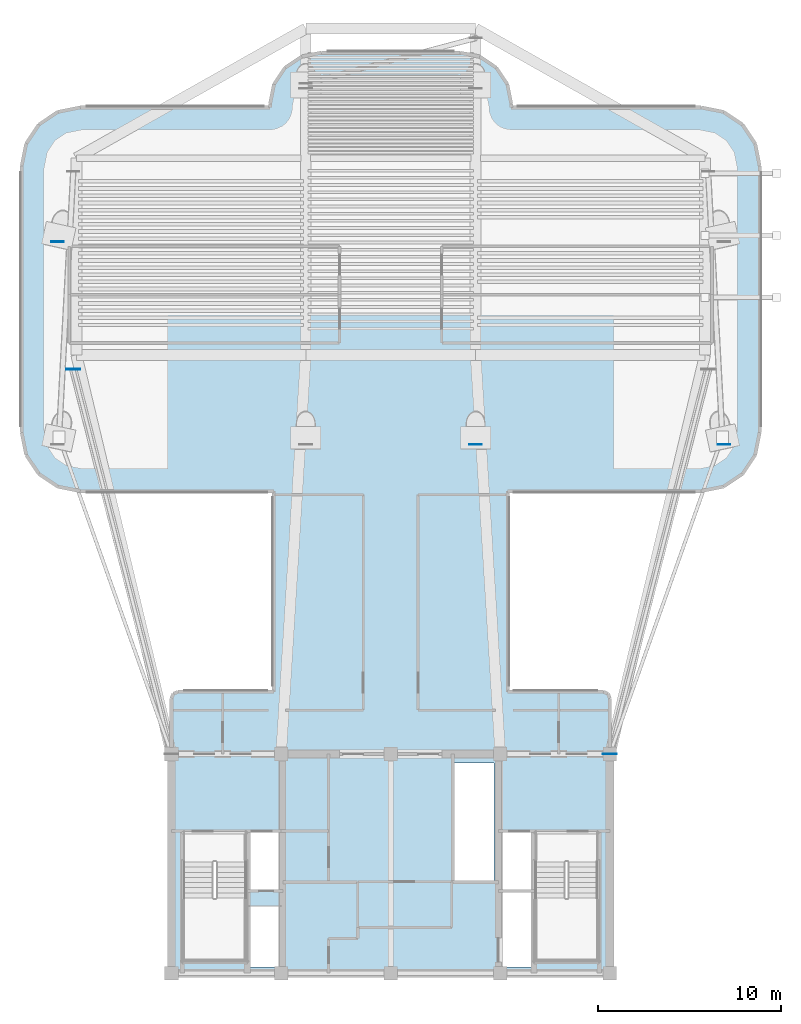
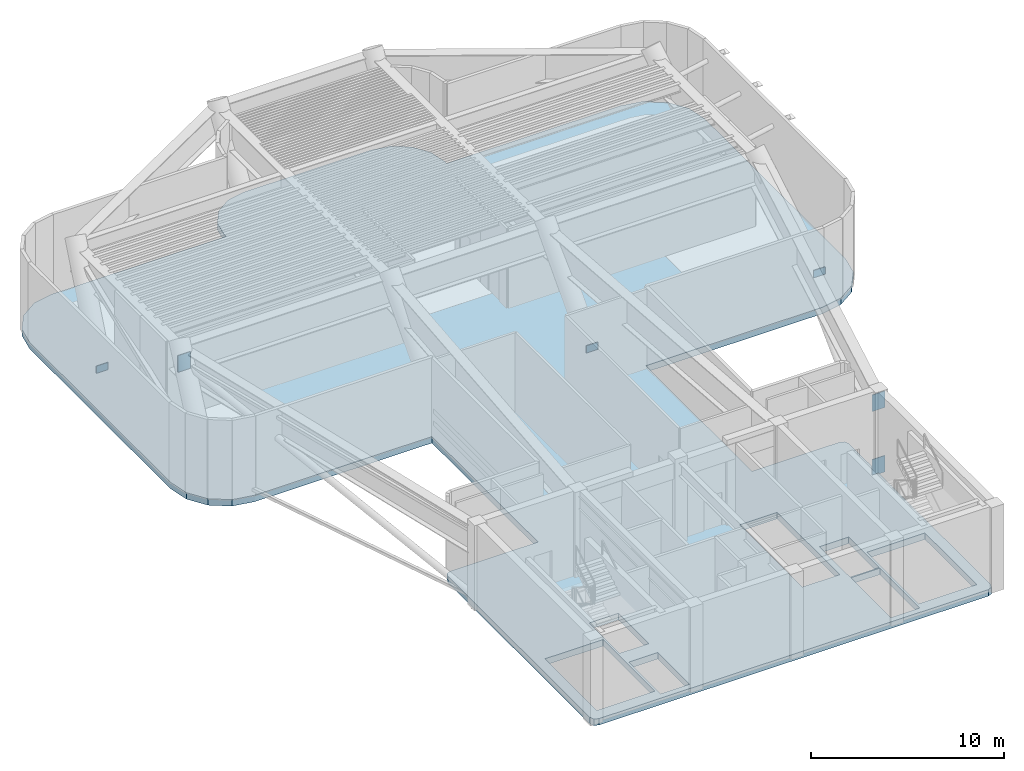
# One storey, part 3 of 11: 6 plates, 1 slab.
"""IFC4 building model written with IfcOpenShell, lengths in metres."""

import ifcopenshell
import ifcopenshell.guid

model = None  # the IFC model being written
_history = None  # IfcOwnerHistory: only IFC2X3 demands one
_inside = {}  # id of a spatial element -> (the spatial element, [elements in it])
_under = {}  # id of a project, library or spatial element -> (it, [spatial elements below it])
_declared = {}  # id of a project -> (the project, [libraries it declares])
_typed = {}  # id of a type object -> (the type object, [elements of that type])
_made_of = {}  # id of a material, layer set ... -> (it, [elements and type objects made of it])


def new_model(schema):
    """Start an empty IFC model of exactly this schema.

    Asked for "IFC4X3", IfcOpenShell would pick the latest addendum, in which some entities
    have other attributes; the version numbers below select the first issue.
    IFC2X3 requires an IfcOwnerHistory on every rooted entity: one is made here for all.
    """
    global model, _history
    if schema == "IFC4X3":
        model = ifcopenshell.file(schema_version=(4, 3, 0, 0))
    else:
        model = ifcopenshell.file(schema=schema)
    _inside.clear()
    _under.clear()
    _declared.clear()
    _typed.clear()
    _made_of.clear()
    _history = None
    if model.schema == "IFC2X3":
        org = make("IfcOrganization", Name="unknown")
        user = make(
            "IfcPersonAndOrganization",
            ThePerson=make("IfcPerson", FamilyName="unknown"),
            TheOrganization=org,
        )
        app = make(
            "IfcApplication",
            ApplicationDeveloper=org,
            Version="unknown",
            ApplicationFullName="unknown",
            ApplicationIdentifier="unknown",
        )
        _history = make(
            "IfcOwnerHistory",
            OwningUser=user,
            OwningApplication=app,
            ChangeAction="ADDED",
            CreationDate=0,
        )
    return model


def make(cls, **values):
    """One entity of the class cls with the attributes given. An attribute that is None is left unset."""
    return model.create_entity(
        cls, **{name: value for name, value in values.items() if value is not None}
    )


def rooted(cls, **values):
    """An entity with a GlobalId (a new one), such as an element, a storey or a relation."""
    return make(cls, GlobalId=ifcopenshell.guid.new(), OwnerHistory=_history, **values)


def si_unit(unit_type, name, prefix=None):
    """IfcSIUnit, for example si_unit("LENGTHUNIT", "METRE", prefix="MILLI")."""
    return make("IfcSIUnit", UnitType=unit_type, Prefix=prefix, Name=name)


def assignment(units):
    """IfcUnitAssignment: the units of a project."""
    return None if units is None else make("IfcUnitAssignment", Units=units)


def point(xyz):
    """IfcCartesianPoint."""
    return None if xyz is None else make("IfcCartesianPoint", Coordinates=xyz)


def direction(xyz):
    """IfcDirection."""
    return None if xyz is None else make("IfcDirection", DirectionRatios=xyz)


def frame(location, z_axis=None, x_axis=None):
    """IfcAxis2Placement3D, a coordinate frame: its origin and axes. An axis left out is left unset."""
    return make(
        "IfcAxis2Placement3D",
        Location=point(location),
        Axis=direction(z_axis),
        RefDirection=direction(x_axis),
    )


def frame_2d(location, x_axis=None):
    """IfcAxis2Placement2D, a coordinate frame in the plane: its origin and x axis."""
    return make(
        "IfcAxis2Placement2D", Location=point(location), RefDirection=direction(x_axis)
    )


def origin():
    """The frame at (0, 0, 0) with its axes left unset."""
    return frame((0.0, 0.0, 0.0))


def origin_2d():
    """The frame at (0, 0) in the plane with its x axis left unset."""
    return frame_2d((0.0, 0.0))


def place(relative_to, where):
    """IfcLocalPlacement: puts the frame where relative to a parent placement (None: the world)."""
    return make(
        "IfcLocalPlacement", PlacementRelTo=relative_to, RelativePlacement=where
    )


def context(
    kind, dimensions, precision=None, world=None, true_north=None, identifier=None
):
    """IfcGeometricRepresentationContext, for example the 3D "Model" context."""
    return make(
        "IfcGeometricRepresentationContext",
        ContextIdentifier=identifier,
        ContextType=kind,
        CoordinateSpaceDimension=dimensions,
        Precision=precision,
        WorldCoordinateSystem=world,
        TrueNorth=true_north,
    )


def subcontext(parent, identifier, kind, view, scale=None):
    """IfcGeometricRepresentationSubContext, for example "Body" below "Model"."""
    return make(
        "IfcGeometricRepresentationSubContext",
        ContextIdentifier=identifier,
        ContextType=kind,
        ParentContext=parent,
        TargetScale=scale,
        TargetView=view,
    )


def project(units=None, contexts=None):
    """IfcProject with its units and contexts."""
    return rooted(
        "IfcProject",
        Name="project",
        RepresentationContexts=contexts,
        UnitsInContext=assignment(units),
    )


def spatial(cls, under=None, at=None, **own):
    """A site, building, storey or space (cls), placed at a placement, below another one or the project."""
    s = rooted(cls, ObjectPlacement=at, **own)
    if under is not None:
        _under.setdefault(under.id(), (under, []))[1].append(s)
    return s


def polyline(points):
    """IfcPolyline through the points."""
    return make("IfcPolyline", Points=[point(p) for p in points])


def profile(cls, at=None, kind="AREA", **sizes):
    """A parametric profile (cls). Its sizes go by their IFC names, for example OverallWidth=200.0."""
    return make(cls, ProfileType=kind, Position=at, **sizes)


def rectangle(**sizes):
    """IfcRectangleProfileDef."""
    return profile("IfcRectangleProfileDef", **sizes)


def outline(outer, holes=None, kind="AREA"):
    """IfcArbitraryClosedProfileDef: a profile drawn as a closed curve; with holes, ...WithVoids."""
    if holes is None:
        return make("IfcArbitraryClosedProfileDef", ProfileType=kind, OuterCurve=outer)
    return make(
        "IfcArbitraryProfileDefWithVoids",
        ProfileType=kind,
        OuterCurve=outer,
        InnerCurves=holes,
    )


def extrude(swept, where, along, depth):
    """IfcExtrudedAreaSolid: the profile swept, set in the frame where, extruded along a direction by depth."""
    return make(
        "IfcExtrudedAreaSolid",
        SweptArea=swept,
        Position=where,
        ExtrudedDirection=direction(along),
        Depth=depth,
    )


def shape(context_of_items, identifier, shape_type, items):
    """IfcShapeRepresentation: the items that make up one representation, for example the "Body"."""
    return make(
        "IfcShapeRepresentation",
        ContextOfItems=context_of_items,
        RepresentationIdentifier=identifier,
        RepresentationType=shape_type,
        Items=items,
    )


def source(mapping_origin, context_of_items, identifier, shape_type, items):
    """IfcRepresentationMap: a shape defined once, which mapped items show again and again."""
    return make(
        "IfcRepresentationMap",
        MappingOrigin=mapping_origin,
        MappedRepresentation=shape(context_of_items, identifier, shape_type, items),
    )


def transform(
    local_origin,
    x_axis=None,
    y_axis=None,
    z_axis=None,
    scale=None,
    scale2=None,
    scale3=None,
    uniform=True,
):
    """IfcCartesianTransformationOperator3D, or its non-uniform kind. x_axis, y_axis, z_axis: its Axis1, 2, 3."""
    if uniform:
        return make(
            "IfcCartesianTransformationOperator3D",
            Axis1=direction(x_axis),
            Axis2=direction(y_axis),
            LocalOrigin=point(local_origin),
            Scale=scale,
            Axis3=direction(z_axis),
        )
    return make(
        "IfcCartesianTransformationOperator3DnonUniform",
        Axis1=direction(x_axis),
        Axis2=direction(y_axis),
        LocalOrigin=point(local_origin),
        Scale=scale,
        Axis3=direction(z_axis),
        Scale2=scale2,
        Scale3=scale3,
    )


def mapped(mapping_source, mapping_target):
    """IfcMappedItem: shows the shape of a source again, moved by a transform."""
    return make(
        "IfcMappedItem", MappingSource=mapping_source, MappingTarget=mapping_target
    )


def material(Name=None, Category=None):
    """IfcMaterial."""
    return make("IfcMaterial", Name=Name, Category=Category)


def layer(
    of_material, thickness, ventilated=None, Name=None, Category=None, Priority=None
):
    """IfcMaterialLayer: one layer of a wall or slab, of a material (None: an air gap)."""
    return make(
        "IfcMaterialLayer",
        Material=of_material,
        LayerThickness=thickness,
        IsVentilated=ventilated,
        Name=Name,
        Category=Category,
        Priority=Priority,
    )


def layer_set(layers, Name=None):
    """IfcMaterialLayerSet."""
    return make("IfcMaterialLayerSet", MaterialLayers=layers, LayerSetName=Name)


def made_of(thing, what):
    """Note that an element or type object is made of a material, layer set ...; save() writes the relation."""
    if what is not None:
        _made_of.setdefault(what.id(), (what, []))[1].append(thing)
    return thing


def type_object(cls, material=None, **own):
    """A type object (cls), such as IfcWallType, which elements share."""
    return made_of(rooted(cls, **own), material)


def element(
    cls,
    number,
    at=None,
    inside=None,
    cuts=None,
    type_object=None,
    material=None,
    context=None,
    identifier="Body",
    shape_type=None,
    held_by="IfcProductDefinitionShape",
    body=None,
    shapes=None,
    **own,
):
    """One element of the class cls, such as IfcWall. Its Tag is "e" and its number.

    at: its placement. inside: the storey or other place that contains it. cuts: it is an
    opening in that element (IfcRelVoidsElement). A single representation is given by context,
    identifier, shape_type and body (its items); several are given by shapes. held_by: the class
    of the entity that holds the representations. save() writes the other relations.
    """
    e = rooted(cls, Tag="e%d" % number, ObjectPlacement=at, **own)
    if body is not None:
        shapes = [shape(context, identifier, shape_type, body)]
    if shapes is not None:
        e.Representation = make(held_by, Representations=shapes)
    if inside is not None:
        _inside.setdefault(inside.id(), (inside, []))[1].append(e)
    if cuts is not None:
        rooted(
            "IfcRelVoidsElement", RelatingBuildingElement=cuts, RelatedOpeningElement=e
        )
    if type_object is not None:
        _typed.setdefault(type_object.id(), (type_object, []))[1].append(e)
    return made_of(e, material)


def aggregate(whole, parts):
    """IfcRelAggregates: a whole, such as a stair, and the parts it consists of."""
    return rooted("IfcRelAggregates", RelatingObject=whole, RelatedObjects=parts)


def save(model, path):
    """Write the relations noted so far, then the file.

    IfcRelAggregates (storeys below a building ...), IfcRelContainedInSpatialStructure (elements
    in a storey), IfcRelDefinesByType, IfcRelAssociatesMaterial and IfcRelDeclares: one each for
    every whole, place, type object, material and project.
    """
    for whole, parts in _under.values():
        aggregate(whole, parts)
    for where, things in _inside.values():
        rooted(
            "IfcRelContainedInSpatialStructure",
            RelatedElements=things,
            RelatingStructure=where,
        )
    for kind, things in _typed.values():
        rooted("IfcRelDefinesByType", RelatedObjects=things, RelatingType=kind)
    for what, things in _made_of.values():
        rooted("IfcRelAssociatesMaterial", RelatedObjects=things, RelatingMaterial=what)
    for by, libraries in _declared.values():
        rooted("IfcRelDeclares", RelatingContext=by, RelatedDefinitions=libraries)
    model.write(path)


model = new_model("IFC4")

# Units and contexts
model_context = context("Model", 3, precision=1e-05, world=origin(), true_north=direction((0.0, 1.0)))
body_context = subcontext(model_context, "Body", "Model", "MODEL_VIEW")
ifc_project = project(units=[si_unit("LENGTHUNIT", "METRE"), si_unit("AREAUNIT", "SQUARE_METRE"), si_unit("VOLUMEUNIT", "CUBIC_METRE"), si_unit("PLANEANGLEUNIT", "RADIAN"), si_unit("MASSUNIT", "GRAM", prefix="KILO")], contexts=[model_context])

# Site, building, storey
site_placement = place(None, origin())
site = spatial("IfcSite", under=ifc_project, at=site_placement, CompositionType="ELEMENT")
building_placement = place(site_placement, origin())
building = spatial("IfcBuilding", under=site, at=building_placement, Name="Brelvock Crest Care Tower", CompositionType="ELEMENT")
storey_placement = place(building_placement, frame((0.0, 0.0, 213.1201171875)))
storey = spatial("IfcBuildingStorey", under=building, at=storey_placement, Name="L54", CompositionType="ELEMENT", Elevation=213.1201171875)

# Slab
ifc_material_1 = material(Name="Concrete N50 (50 MPa)", Category="concrete")
ifc_layer = layer(ifc_material_1, 0.407958984375, Name="SLB-FL5")
ifc_layer_set = layer_set([ifc_layer], Name="Concrete N50 (50 MPa)")
slab_type = type_object("IfcSlabType", Name="SLB-FL5", PredefinedType="FLOOR", material=ifc_layer_set)
slab_placement = place(storey_placement, frame((0.0, 0.0, -0.408203125)))
element("IfcSlab", 1, at=slab_placement, inside=storey, type_object=slab_type, Name="L54 Main Structural Slab", PredefinedType="FLOOR", context=body_context, shape_type="SweptSolid", body=[
    extrude(outline(polyline([(47.64990234375, 21.39990234375), (42.39990234375, 21.39990234375), (42.39990234375, 32.39990234375), (53.0, 32.39990234375), (54.224609375, 32.6435546875), (55.2626953125, 33.33740234375), (55.956298828125, 34.37548828125), (56.199951171875, 35.60009765625), (56.199951171875, 50.199951171875), (55.956298828125, 51.424560546875), (55.2626953125, 52.462646484375), (54.224609375, 53.156494140625), (53.0, 53.39990234375), (42.60009765625, 53.39990234375), (42.60009765625, 53.60009765625), (42.386962890625, 54.67138671875), (41.77978515625, 55.579833984375), (40.87158203125, 56.18701171875), (39.800048828125, 56.39990234375), (32.199951171875, 56.39990234375), (31.12841796875, 56.18701171875), (30.22021484375, 55.579833984375), (29.613037109375, 54.67138671875), (29.39990234375, 53.60009765625), (29.39990234375, 53.39990234375), (19.0, 53.39990234375), (17.775390625, 53.156494140625), (16.7373046875, 52.462646484375), (16.043701171875, 51.424560546875), (15.800048828125, 50.199951171875), (15.800048828125, 35.60009765625), (16.043701171875, 34.37548828125), (16.7373046875, 33.33740234375), (17.775390625, 32.6435546875), (19.0, 32.39990234375), (29.60009765625, 32.39990234375), (29.60009765625, 21.39990234375), (24.35009765625, 21.39990234375), (24.1025390625, 21.297607421875), (24.0, 21.050048828125), (24.0, 6.35009765625), (24.1025390625, 6.1025390625), (24.35009765625, 6.0), (47.64990234375, 6.0), (47.8974609375, 6.1025390625), (48.0, 6.35009765625), (48.0, 21.050048828125), (47.8974609375, 21.297607421875), (47.64990234375, 21.39990234375)]), holes=[polyline([(28.239990234375, 10.580078125), (29.97998046875, 10.580078125), (29.97998046875, 13.739990234375), (28.239990234375, 13.739990234375), (28.239990234375, 10.580078125)]), polyline([(42.02001953125, 10.580078125), (43.760009765625, 10.580078125), (43.760009765625, 13.739990234375), (42.02001953125, 13.739990234375), (42.02001953125, 10.580078125)]), polyline([(28.239990234375, 6.340087890625), (29.97998046875, 6.340087890625), (29.97998046875, 9.64990234375), (28.239990234375, 9.64990234375), (28.239990234375, 6.340087890625)]), polyline([(24.6298828125, 12.080078125), (24.6298828125, 6.699951171875), (28.110107421875, 6.699951171875), (28.110107421875, 12.080078125), (24.6298828125, 12.080078125)]), polyline([(43.889892578125, 12.080078125), (43.889892578125, 6.699951171875), (47.3701171875, 6.699951171875), (47.3701171875, 12.080078125), (43.889892578125, 12.080078125)]), polyline([(42.02001953125, 6.340087890625), (43.760009765625, 6.340087890625), (43.760009765625, 10.5), (42.02001953125, 10.5), (42.02001953125, 6.340087890625)]), polyline([(39.429931640625, 11.030029296875), (41.669921875, 11.030029296875), (41.669921875, 17.52001953125), (39.429931640625, 17.52001953125), (39.429931640625, 11.030029296875)])]), origin(), (0.0, 0.0, 1.0), 0.408203125),
])

# Plates
ifc_material_2 = material(Name="Steel Grade 350", Category="steel")
plate_type_1 = type_object("IfcPlateType", Name="PLT-KN3", PredefinedType="USERDEFINED", material=ifc_material_2)
shared_shape_1 = source(origin(), body_context, "Body", "SweptSolid", [
    extrude(rectangle(XDim=0.699951171875, YDim=0.031982421875, at=origin_2d()), origin(), (0.0, 0.0, 1.0), 1.0),
])
for number, where, z_axis, x_axis, name in (
    (2, (17.75, 46.050048828125, -0.550048828125), (0.0, 0.0, 1.0), (1.0, 0.0, 0.0), "PLT-KINK-L54-02"),
    (3, (54.25, 34.949951171875, -0.550048828125), (0.0, 0.0, 1.0), (1.0, 0.0, 0.0), "PLT-KINK-L54-03"),
    (4, (40.64990234375, 34.949951171875, -0.550048828125), (0.0, 0.0, 1.0), (1.0, 0.0, 0.0), "PLT-KINK-L54-06"),
):
    element("IfcPlate", number, at=place(storey_placement, frame(where, z_axis=z_axis, x_axis=x_axis)), inside=storey, type_object=plate_type_1, Name=name, ObjectType="GUSSET", PredefinedType="USERDEFINED", context=body_context, shape_type="MappedRepresentation", body=[
        mapped(shared_shape_1, transform((0.0, 0.0, 0.0), x_axis=(1.0, 0.0, 0.0), y_axis=(0.0, 1.0, 0.0), z_axis=(0.0, 0.0, 1.0), scale=1.0)),
    ])
plate_type_2 = type_object("IfcPlateType", Name="PLT-ON2", PredefinedType="USERDEFINED", material=ifc_material_2)
shared_shape_2 = source(origin(), body_context, "Body", "SweptSolid", [
    extrude(rectangle(XDim=0.75, YDim=0.031982421875, at=origin_2d()), origin(), (0.0, 0.0, 1.0), 1.050048828125),
])
for number, where, z_axis, x_axis, name in (
    (5, (18.619384765625, 39.068115234375, 4.0048828125), (0.0, 0.0, 1.0), (1.0, 0.0, 0.0), "PLT-CAP-OTT-L54-W1"),
    (6, (48.0, 18.0, -0.0751953125), (0.0, 0.0, 1.0), (1.0, 0.0, 0.0), "PLT-OT-L54-E1-CB"),
    (7, (48.0, 18.0, 4.0048828125), (0.0, 0.0, 1.0), (1.0, 0.0, 0.0), "PLT-OT-L54-E1-CT"),
):
    element("IfcPlate", number, at=place(storey_placement, frame(where, z_axis=z_axis, x_axis=x_axis)), inside=storey, type_object=plate_type_2, Name=name, ObjectType="GUSSET", PredefinedType="USERDEFINED", context=body_context, shape_type="MappedRepresentation", body=[
        mapped(shared_shape_2, transform((0.0, 0.0, 0.0), x_axis=(1.0, 0.0, 0.0), y_axis=(0.0, 1.0, 0.0), z_axis=(0.0, 0.0, 1.0), scale=1.0)),
    ])

save(model, "model.ifc")
